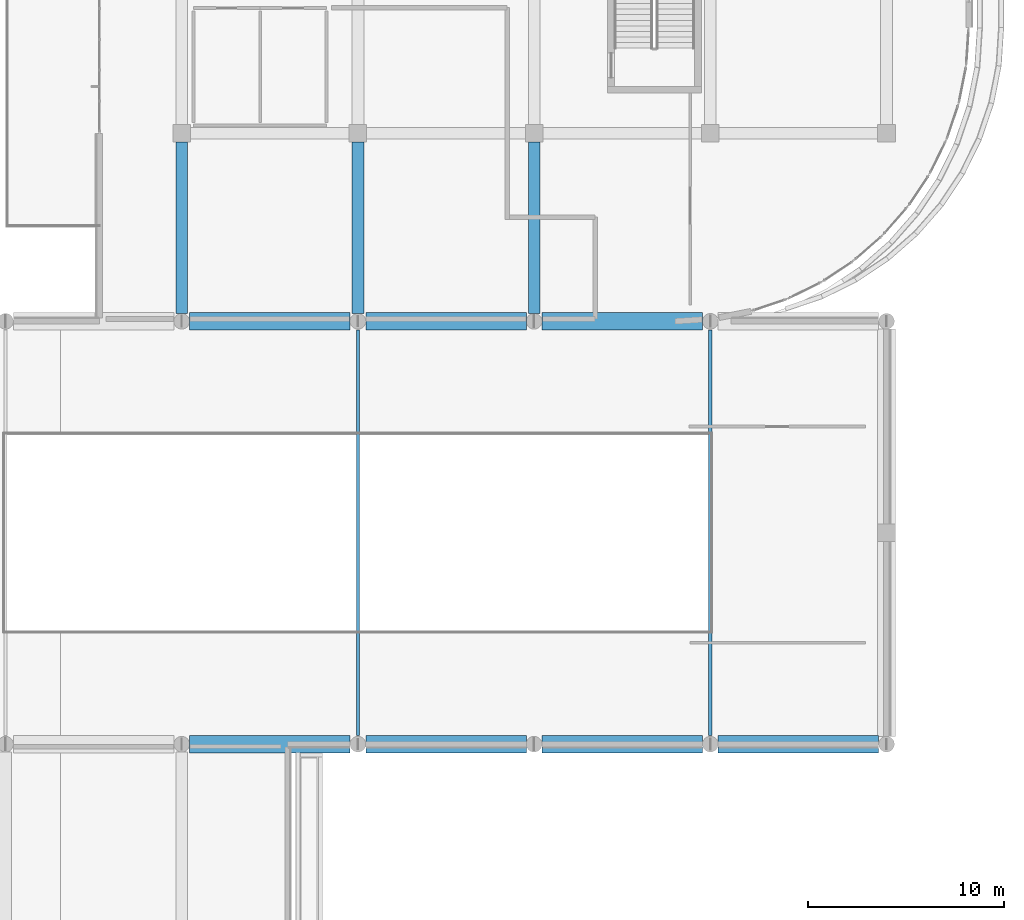
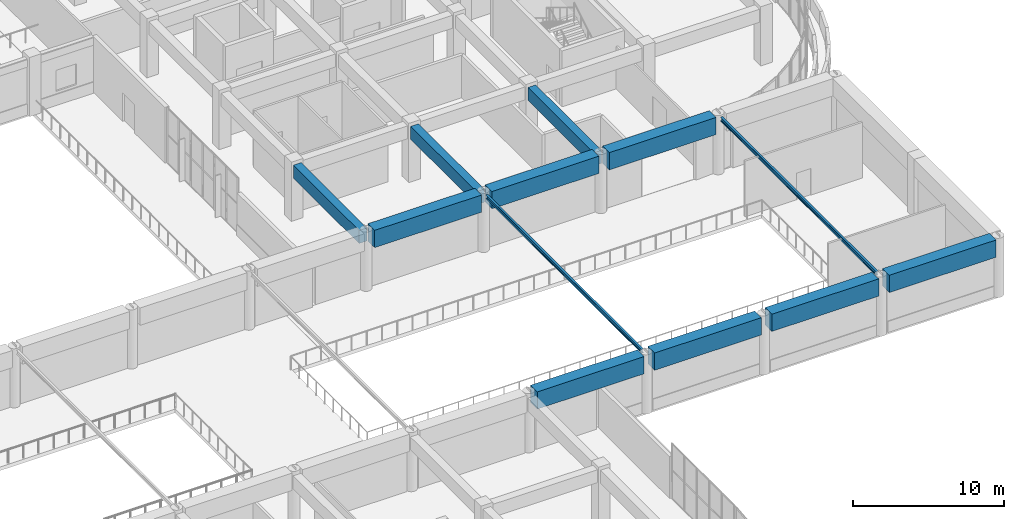
# One storey, part 37 of 96: 10 beams, 2 members.
"""IFC4 building model written with IfcOpenShell, lengths in metres."""

from ifc_helpers import new_model, si_unit, direction, frame, origin, origin_2d, place, context, subcontext, project, spatial, rectangle, i_section, extrude, material, material_profile, profile_set, type_object, element, save


model = new_model("IFC4")

# Units and contexts
model_context = context("Model", 3, precision=1e-05, world=origin(), true_north=direction((0.0, 1.0)))
body_context = subcontext(model_context, "Body", "Model", "MODEL_VIEW")
ifc_project = project(units=[si_unit("LENGTHUNIT", "METRE"), si_unit("AREAUNIT", "SQUARE_METRE"), si_unit("VOLUMEUNIT", "CUBIC_METRE"), si_unit("PLANEANGLEUNIT", "RADIAN"), si_unit("MASSUNIT", "GRAM", prefix="KILO")], contexts=[model_context])

# Site, building, storey
site_placement = place(None, origin())
site = spatial("IfcSite", under=ifc_project, at=site_placement, CompositionType="ELEMENT")
building_placement = place(site_placement, origin())
building = spatial("IfcBuilding", under=site, at=building_placement, Name="Cendralis Terraced Arcade", CompositionType="ELEMENT")
storey_placement = place(building_placement, frame((0.0, 0.0, 10.199951171875)))
storey = spatial("IfcBuildingStorey", under=building, at=storey_placement, Name="L02", CompositionType="ELEMENT", Elevation=10.199951171875)

# Beams
ifc_material_1 = material(Name="Concrete f'c 35 MPa", Category="concrete")
ifc_material_profile_1 = material_profile(ifc_material_1, rectangle(XDim=0.60009765625, YDim=1.050048828125, at=origin_2d()), Name="RC-BM-600x1050", Category="LoadBearing")
ifc_profile_set_1 = profile_set([ifc_material_profile_1], Name="Concrete f'c 35 MPa")
beam_type_1 = type_object("IfcBeamType", Name="BM-600x1050", PredefinedType="JOIST", material=ifc_profile_set_1)
for number, where, z_axis, x_axis, name in (
    (1, (130.199951171875, 60.39990234375, 3.989990234375), (0.0, 1.0, 0.0), (-1.0, 0.0, 0.0), "Reinforced Concrete Frame Beam BM-Y-L03-15-G_H"),
    (2, (139.199951171875, 60.39990234375, 3.989990234375), (0.0, 1.0, 0.0), (-1.0, 0.0, 0.0), "Reinforced Concrete Frame Beam BM-Y-L03-16-G_H"),
    (3, (148.199951171875, 60.39990234375, 3.989990234375), (0.0, 1.0, 0.0), (-1.0, 0.0, 0.0), "Reinforced Concrete Frame Beam BM-Y-L03-17-G_H"),
):
    element("IfcBeam", number, at=place(storey_placement, frame(where, z_axis=z_axis, x_axis=x_axis)), inside=storey, type_object=beam_type_1, Name=name, PredefinedType="JOIST", context=body_context, shape_type="SweptSolid", body=[
        extrude(rectangle(XDim=0.60009765625, YDim=1.050048828125, at=origin_2d()), origin(), (0.0, 0.0, 1.0), 8.75),
    ])

# Members
ifc_material_2 = material(Name="Steel ASTM A992 Grade 50", Category="steel")
ifc_material_profile_2 = material_profile(ifc_material_2, i_section(OverallWidth=0.166015625, OverallDepth=0.31298828125, WebThickness=0.006591796875, FlangeThickness=0.01123046875, FilletRadius=0.010009765625, at=origin_2d()), Name="W310X44.5", Category="LoadBearing")
ifc_profile_set_2 = profile_set([ifc_material_profile_2], Name="Steel ASTM A992 Grade 50")
member_type = type_object("IfcMemberType", Name="MEM-TIE-W310", PredefinedType="BRACE", material=ifc_profile_set_2)
for number, where, z_axis, x_axis, name in (
    (4, (139.199951171875, 38.85009765625, 4.550048828125), (0.0, 1.0, 0.0), (-1.0, 0.0, 0.0), "Shopping Arcade Barrel Vault Tension Tie 09"),
    (5, (157.199951171875, 38.85009765625, 4.550048828125), (0.0, 1.0, 0.0), (-1.0, 0.0, 0.0), "Shopping Arcade Barrel Vault Tension Tie 11"),
):
    element("IfcMember", number, at=place(storey_placement, frame(where, z_axis=z_axis, x_axis=x_axis)), inside=storey, type_object=member_type, Name=name, PredefinedType="BRACE", context=body_context, shape_type="SweptSolid", body=[
        extrude(i_section(OverallWidth=0.166015625, OverallDepth=0.31298828125, WebThickness=0.006591796875, FlangeThickness=0.01123046875, FilletRadius=0.010009765625, at=origin_2d()), origin(), (0.0, 0.0, 1.0), 20.699951171875),
    ])

# Beams
ifc_material_profile_3 = material_profile(ifc_material_1, rectangle(XDim=0.89990234375, YDim=1.39990234375, at=origin_2d()), Name="RC-RB-900x1400", Category="LoadBearing")
ifc_profile_set_3 = profile_set([ifc_material_profile_3], Name="Concrete f'c 35 MPa")
beam_type_2 = type_object("IfcBeamType", Name="RB-900x1400", PredefinedType="BEAM", material=ifc_profile_set_3)
for number, where, z_axis, x_axis, name in (
    (6, (130.60009765625, 38.39990234375, 4.10009765625), (1.0, 0.0, 0.0), (0.0, 1.0, 0.0), "Shopping Arcade Barrel Vault Springing Ring Beam RB-ARC-S-08"),
    (7, (139.60009765625, 38.39990234375, 4.10009765625), (1.0, 0.0, 0.0), (0.0, 1.0, 0.0), "Shopping Arcade Barrel Vault Springing Ring Beam RB-ARC-S-09"),
    (8, (148.60009765625, 38.39990234375, 4.10009765625), (1.0, 0.0, 0.0), (0.0, 1.0, 0.0), "Shopping Arcade Barrel Vault Springing Ring Beam RB-ARC-S-10"),
    (9, (157.60009765625, 38.39990234375, 4.10009765625), (1.0, 0.0, 0.0), (0.0, 1.0, 0.0), "Shopping Arcade Barrel Vault Springing Ring Beam RB-ARC-S-11"),
    (10, (130.60009765625, 60.0, 4.10009765625), (1.0, 0.0, 0.0), (0.0, 1.0, 0.0), "Shopping Arcade Barrel Vault Springing Ring Beam RB-ARC-N-08"),
    (11, (139.60009765625, 60.0, 4.10009765625), (1.0, 0.0, 0.0), (0.0, 1.0, 0.0), "Shopping Arcade Barrel Vault Springing Ring Beam RB-ARC-N-09"),
    (12, (148.60009765625, 60.0, 4.10009765625), (1.0, 0.0, 0.0), (0.0, 1.0, 0.0), "Shopping Arcade Barrel Vault Springing Ring Beam RB-ARC-N-10"),
):
    element("IfcBeam", number, at=place(storey_placement, frame(where, z_axis=z_axis, x_axis=x_axis)), inside=storey, type_object=beam_type_2, Name=name, PredefinedType="BEAM", context=body_context, shape_type="SweptSolid", body=[
        extrude(rectangle(XDim=0.89990234375, YDim=1.39990234375, at=origin_2d()), origin(), (0.0, 0.0, 1.0), 8.199951171875),
    ])

save(model, "model.ifc")
